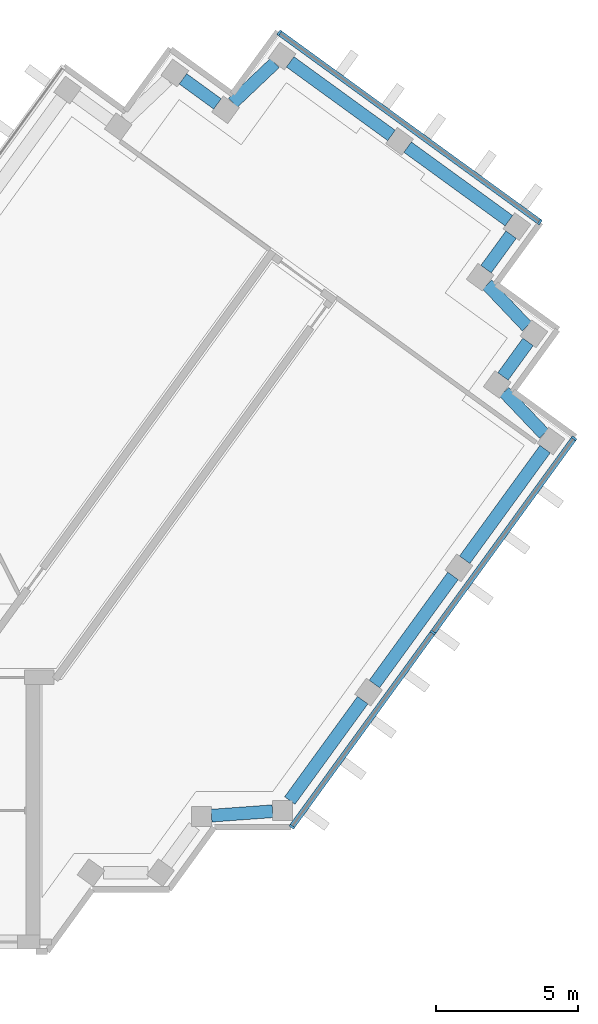
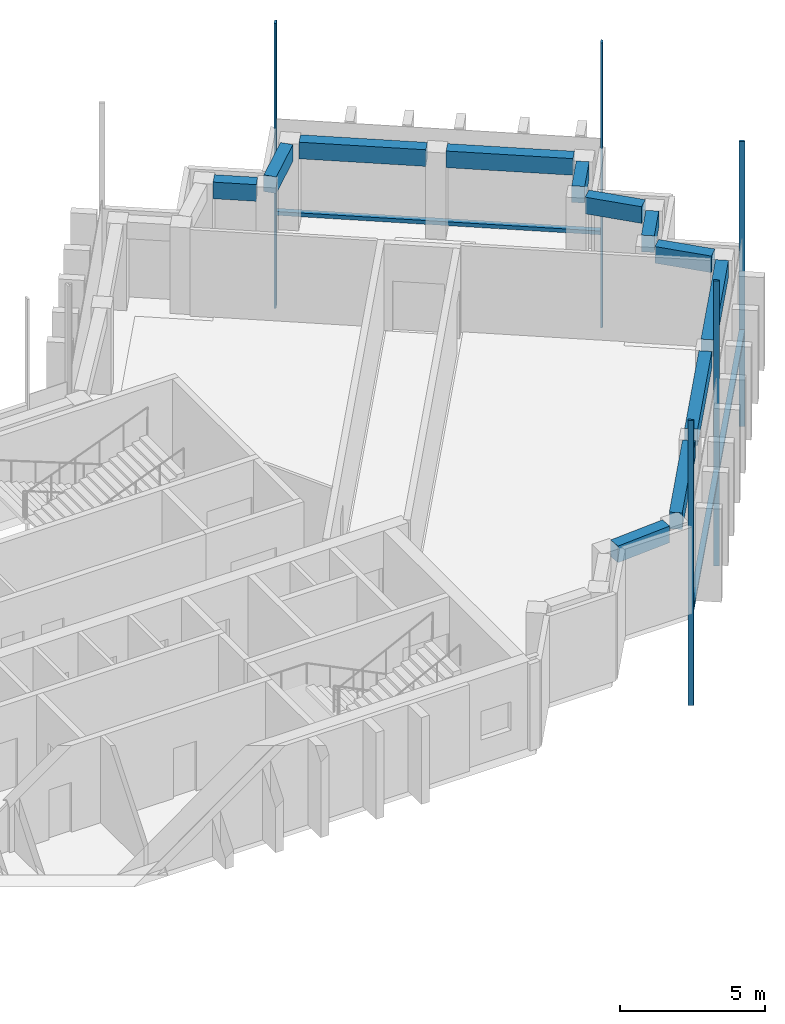
# One storey, part 6 of 13: 12 beams, 8 members, 2 elements without a shape of their own.
"""IFC4 building model written with IfcOpenShell, lengths in metres."""

import ifcopenshell
import ifcopenshell.guid

model = None  # the IFC model being written
_history = None  # IfcOwnerHistory: only IFC2X3 demands one
_inside = {}  # id of a spatial element -> (the spatial element, [elements in it])
_under = {}  # id of a project, library or spatial element -> (it, [spatial elements below it])
_declared = {}  # id of a project -> (the project, [libraries it declares])
_typed = {}  # id of a type object -> (the type object, [elements of that type])
_made_of = {}  # id of a material, layer set ... -> (it, [elements and type objects made of it])


def new_model(schema):
    """Start an empty IFC model of exactly this schema.

    Asked for "IFC4X3", IfcOpenShell would pick the latest addendum, in which some entities
    have other attributes; the version numbers below select the first issue.
    IFC2X3 requires an IfcOwnerHistory on every rooted entity: one is made here for all.
    """
    global model, _history
    if schema == "IFC4X3":
        model = ifcopenshell.file(schema_version=(4, 3, 0, 0))
    else:
        model = ifcopenshell.file(schema=schema)
    _inside.clear()
    _under.clear()
    _declared.clear()
    _typed.clear()
    _made_of.clear()
    _history = None
    if model.schema == "IFC2X3":
        org = make("IfcOrganization", Name="unknown")
        user = make(
            "IfcPersonAndOrganization",
            ThePerson=make("IfcPerson", FamilyName="unknown"),
            TheOrganization=org,
        )
        app = make(
            "IfcApplication",
            ApplicationDeveloper=org,
            Version="unknown",
            ApplicationFullName="unknown",
            ApplicationIdentifier="unknown",
        )
        _history = make(
            "IfcOwnerHistory",
            OwningUser=user,
            OwningApplication=app,
            ChangeAction="ADDED",
            CreationDate=0,
        )
    return model


def make(cls, **values):
    """One entity of the class cls with the attributes given. An attribute that is None is left unset."""
    return model.create_entity(
        cls, **{name: value for name, value in values.items() if value is not None}
    )


def rooted(cls, **values):
    """An entity with a GlobalId (a new one), such as an element, a storey or a relation."""
    return make(cls, GlobalId=ifcopenshell.guid.new(), OwnerHistory=_history, **values)


def si_unit(unit_type, name, prefix=None):
    """IfcSIUnit, for example si_unit("LENGTHUNIT", "METRE", prefix="MILLI")."""
    return make("IfcSIUnit", UnitType=unit_type, Prefix=prefix, Name=name)


def assignment(units):
    """IfcUnitAssignment: the units of a project."""
    return None if units is None else make("IfcUnitAssignment", Units=units)


def point(xyz):
    """IfcCartesianPoint."""
    return None if xyz is None else make("IfcCartesianPoint", Coordinates=xyz)


def direction(xyz):
    """IfcDirection."""
    return None if xyz is None else make("IfcDirection", DirectionRatios=xyz)


def frame(location, z_axis=None, x_axis=None):
    """IfcAxis2Placement3D, a coordinate frame: its origin and axes. An axis left out is left unset."""
    return make(
        "IfcAxis2Placement3D",
        Location=point(location),
        Axis=direction(z_axis),
        RefDirection=direction(x_axis),
    )


def frame_2d(location, x_axis=None):
    """IfcAxis2Placement2D, a coordinate frame in the plane: its origin and x axis."""
    return make(
        "IfcAxis2Placement2D", Location=point(location), RefDirection=direction(x_axis)
    )


def origin():
    """The frame at (0, 0, 0) with its axes left unset."""
    return frame((0.0, 0.0, 0.0))


def origin_2d():
    """The frame at (0, 0) in the plane with its x axis left unset."""
    return frame_2d((0.0, 0.0))


def place(relative_to, where):
    """IfcLocalPlacement: puts the frame where relative to a parent placement (None: the world)."""
    return make(
        "IfcLocalPlacement", PlacementRelTo=relative_to, RelativePlacement=where
    )


def context(
    kind, dimensions, precision=None, world=None, true_north=None, identifier=None
):
    """IfcGeometricRepresentationContext, for example the 3D "Model" context."""
    return make(
        "IfcGeometricRepresentationContext",
        ContextIdentifier=identifier,
        ContextType=kind,
        CoordinateSpaceDimension=dimensions,
        Precision=precision,
        WorldCoordinateSystem=world,
        TrueNorth=true_north,
    )


def subcontext(parent, identifier, kind, view, scale=None):
    """IfcGeometricRepresentationSubContext, for example "Body" below "Model"."""
    return make(
        "IfcGeometricRepresentationSubContext",
        ContextIdentifier=identifier,
        ContextType=kind,
        ParentContext=parent,
        TargetScale=scale,
        TargetView=view,
    )


def project(units=None, contexts=None):
    """IfcProject with its units and contexts."""
    return rooted(
        "IfcProject",
        Name="project",
        RepresentationContexts=contexts,
        UnitsInContext=assignment(units),
    )


def spatial(cls, under=None, at=None, **own):
    """A site, building, storey or space (cls), placed at a placement, below another one or the project."""
    s = rooted(cls, ObjectPlacement=at, **own)
    if under is not None:
        _under.setdefault(under.id(), (under, []))[1].append(s)
    return s


def profile(cls, at=None, kind="AREA", **sizes):
    """A parametric profile (cls). Its sizes go by their IFC names, for example OverallWidth=200.0."""
    return make(cls, ProfileType=kind, Position=at, **sizes)


def rectangle(**sizes):
    """IfcRectangleProfileDef."""
    return profile("IfcRectangleProfileDef", **sizes)


def extrude(swept, where, along, depth):
    """IfcExtrudedAreaSolid: the profile swept, set in the frame where, extruded along a direction by depth."""
    return make(
        "IfcExtrudedAreaSolid",
        SweptArea=swept,
        Position=where,
        ExtrudedDirection=direction(along),
        Depth=depth,
    )


def shape(context_of_items, identifier, shape_type, items):
    """IfcShapeRepresentation: the items that make up one representation, for example the "Body"."""
    return make(
        "IfcShapeRepresentation",
        ContextOfItems=context_of_items,
        RepresentationIdentifier=identifier,
        RepresentationType=shape_type,
        Items=items,
    )


def material(Name=None, Category=None):
    """IfcMaterial."""
    return make("IfcMaterial", Name=Name, Category=Category)


def material_profile(
    of_material, cross_section, Name=None, Category=None, Priority=None
):
    """IfcMaterialProfile: a cross section and its material."""
    return make(
        "IfcMaterialProfile",
        Name=Name,
        Material=of_material,
        Profile=cross_section,
        Priority=Priority,
        Category=Category,
    )


def profile_set(profiles, Name=None, composite=None):
    """IfcMaterialProfileSet."""
    return make(
        "IfcMaterialProfileSet",
        Name=Name,
        MaterialProfiles=profiles,
        CompositeProfile=composite,
    )


def made_of(thing, what):
    """Note that an element or type object is made of a material, layer set ...; save() writes the relation."""
    if what is not None:
        _made_of.setdefault(what.id(), (what, []))[1].append(thing)
    return thing


def type_object(cls, material=None, **own):
    """A type object (cls), such as IfcWallType, which elements share."""
    return made_of(rooted(cls, **own), material)


def element(
    cls,
    number,
    at=None,
    inside=None,
    cuts=None,
    type_object=None,
    material=None,
    context=None,
    identifier="Body",
    shape_type=None,
    held_by="IfcProductDefinitionShape",
    body=None,
    shapes=None,
    **own,
):
    """One element of the class cls, such as IfcWall. Its Tag is "e" and its number.

    at: its placement. inside: the storey or other place that contains it. cuts: it is an
    opening in that element (IfcRelVoidsElement). A single representation is given by context,
    identifier, shape_type and body (its items); several are given by shapes. held_by: the class
    of the entity that holds the representations. save() writes the other relations.
    """
    e = rooted(cls, Tag="e%d" % number, ObjectPlacement=at, **own)
    if body is not None:
        shapes = [shape(context, identifier, shape_type, body)]
    if shapes is not None:
        e.Representation = make(held_by, Representations=shapes)
    if inside is not None:
        _inside.setdefault(inside.id(), (inside, []))[1].append(e)
    if cuts is not None:
        rooted(
            "IfcRelVoidsElement", RelatingBuildingElement=cuts, RelatedOpeningElement=e
        )
    if type_object is not None:
        _typed.setdefault(type_object.id(), (type_object, []))[1].append(e)
    return made_of(e, material)


def aggregate(whole, parts):
    """IfcRelAggregates: a whole, such as a stair, and the parts it consists of."""
    return rooted("IfcRelAggregates", RelatingObject=whole, RelatedObjects=parts)


def save(model, path):
    """Write the relations noted so far, then the file.

    IfcRelAggregates (storeys below a building ...), IfcRelContainedInSpatialStructure (elements
    in a storey), IfcRelDefinesByType, IfcRelAssociatesMaterial and IfcRelDeclares: one each for
    every whole, place, type object, material and project.
    """
    for whole, parts in _under.values():
        aggregate(whole, parts)
    for where, things in _inside.values():
        rooted(
            "IfcRelContainedInSpatialStructure",
            RelatedElements=things,
            RelatingStructure=where,
        )
    for kind, things in _typed.values():
        rooted("IfcRelDefinesByType", RelatedObjects=things, RelatingType=kind)
    for what, things in _made_of.values():
        rooted("IfcRelAssociatesMaterial", RelatedObjects=things, RelatingMaterial=what)
    for by, libraries in _declared.values():
        rooted("IfcRelDeclares", RelatingContext=by, RelatedDefinitions=libraries)
    model.write(path)


model = new_model("IFC4")

# Units and contexts
model_context = context("Model", 3, precision=1e-05, world=origin(), true_north=direction((0.0, 1.0)))
body_context = subcontext(model_context, "Body", "Model", "MODEL_VIEW")
ifc_project = project(units=[si_unit("LENGTHUNIT", "METRE"), si_unit("AREAUNIT", "SQUARE_METRE"), si_unit("VOLUMEUNIT", "CUBIC_METRE"), si_unit("PLANEANGLEUNIT", "RADIAN"), si_unit("MASSUNIT", "GRAM", prefix="KILO")], contexts=[model_context])

# Site, building, storey
site_placement = place(None, origin())
site = spatial("IfcSite", under=ifc_project, at=site_placement, CompositionType="ELEMENT")
building_placement = place(site_placement, origin())
building = spatial("IfcBuilding", under=site, at=building_placement, Name="Quipu Civic Tower", CompositionType="ELEMENT")
storey_placement = place(building_placement, frame((0.0, 0.0, 285.0)))
storey = spatial("IfcBuildingStorey", under=building, at=storey_placement, Name="L66", CompositionType="ELEMENT", Elevation=285.0)

# Curtain wall, members
ifc_material_1 = material(Name="Insulated glass unit", Category="glass")
curtain_wall_type = type_object("IfcCurtainWallType", Name="Office curtain wall CW1", PredefinedType="NOTDEFINED", material=ifc_material_1)
curtain_wall_1_placement = place(storey_placement, origin())
curtain_wall_1 = element("IfcCurtainWall", 1, at=curtain_wall_1_placement, inside=storey, type_object=curtain_wall_type, Name="Office curtain wall CW1 L65 run 23", PredefinedType="NOTDEFINED")
ifc_material_2 = material(Name="Anodised aluminium", Category="aluminium")
ifc_material_profile_1 = material_profile(ifc_material_2, rectangle(XDim=0.199951171875, YDim=0.080078125, at=origin_2d()), Name="RECT 200x80")
ifc_profile_set_1 = profile_set([ifc_material_profile_1], Name="Anodised aluminium")
member_type_1 = type_object("IfcMemberType", Name="Mullion CW1", PredefinedType="MULLION", material=ifc_profile_set_1)
member_1_placement = place(storey_placement, frame((28.853271484375, -6.698974609375, -3.919921875), z_axis=(0.0, 0.0, 1.0), x_axis=(-0.809016278475, 0.587786237643, 0.0)))
member_1 = element("IfcMember", 2, at=member_1_placement, type_object=member_type_1, Name="CW1 mullion 1", PredefinedType="MULLION", context=body_context, shape_type="SweptSolid", body=[
    extrude(rectangle(XDim=0.199951171875, YDim=0.080078125, at=origin_2d()), origin(), (0.0, 0.0, 1.0), 12.0),
])
member_2_placement = place(storey_placement, frame((33.81298828125, 0.12744140625, -3.919921875), z_axis=(0.0, 0.0, 1.0), x_axis=(-0.809016278475, 0.587786237643, 0.0)))
member_2 = element("IfcMember", 3, at=member_2_placement, type_object=member_type_1, Name="CW1 mullion 2", PredefinedType="MULLION", context=body_context, shape_type="SweptSolid", body=[
    extrude(rectangle(XDim=0.199951171875, YDim=0.080078125, at=origin_2d()), origin(), (0.0, 0.0, 1.0), 12.0),
])
member_3_placement = place(storey_placement, frame((38.772705078125, 6.953857421875, -3.919921875), z_axis=(0.0, 0.0, 1.0), x_axis=(-0.809016278475, 0.587786237643, 0.0)))
member_3 = element("IfcMember", 4, at=member_3_placement, type_object=member_type_1, Name="CW1 mullion 3", PredefinedType="MULLION", context=body_context, shape_type="SweptSolid", body=[
    extrude(rectangle(XDim=0.199951171875, YDim=0.080078125, at=origin_2d()), origin(), (0.0, 0.0, 1.0), 12.0),
])

curtain_wall_2_placement = place(storey_placement, origin())
curtain_wall_2 = element("IfcCurtainWall", 5, at=curtain_wall_2_placement, inside=storey, type_object=curtain_wall_type, Name="Office curtain wall CW1 L65 run 28", PredefinedType="NOTDEFINED")
member_4_placement = place(storey_placement, frame((37.569091796875, 14.552490234375, -3.919921875), z_axis=(0.0, 0.0, 1.0), x_axis=(-0.587787753918, -0.809015176832, 0.0)))
member_4 = element("IfcMember", 6, at=member_4_placement, type_object=member_type_1, Name="CW1 mullion 1", PredefinedType="MULLION", context=body_context, shape_type="SweptSolid", body=[
    extrude(rectangle(XDim=0.199951171875, YDim=0.080078125, at=origin_2d()), origin(), (0.0, 0.0, 1.0), 12.0),
])
member_5_placement = place(storey_placement, frame((28.4111328125, 21.206298828125, -3.919921875), z_axis=(0.0, 0.0, 1.0), x_axis=(-0.587787753918, -0.809015176832, 0.0)))
member_5 = element("IfcMember", 7, at=member_5_placement, type_object=member_type_1, Name="CW1 mullion 2", PredefinedType="MULLION", context=body_context, shape_type="SweptSolid", body=[
    extrude(rectangle(XDim=0.199951171875, YDim=0.080078125, at=origin_2d()), origin(), (0.0, 0.0, 1.0), 12.0),
])

# Beams
ifc_material_3 = material(Name="Concrete C50/60", Category="concrete")
ifc_material_profile_2 = material_profile(ifc_material_3, rectangle(XDim=0.449951171875, YDim=0.699951171875, at=origin_2d()), Name="RC450x700")
ifc_profile_set_2 = profile_set([ifc_material_profile_2], Name="Concrete C50/60")
beam_type = type_object("IfcBeamType", Name="Spandrel beam RC 450x700 C50/60", PredefinedType="SPANDREL", material=ifc_profile_set_2)
beam_1_placement = place(storey_placement, frame((26.0244140625, -6.3115234375, 3.300048828125), z_axis=(0.997379352029, 0.072349347934, 0.0), x_axis=(-0.072349347934, 0.997379352029, 0.0)))
element("IfcBeam", 8, at=beam_1_placement, inside=storey, type_object=beam_type, Name="Spandrel beam L66 J-Eo.3 to J-Eo.4", PredefinedType="SPANDREL", context=body_context, shape_type="SweptSolid", body=[
    extrude(rectangle(XDim=0.449951171875, YDim=0.699951171875, at=origin_2d()), origin(), (0.0, 0.0, 1.0), 2.15625),
])
beam_2_placement = place(storey_placement, frame((28.779296875, -5.780029296875, 3.300048828125), z_axis=(0.58777550284, 0.809024077677, 0.0), x_axis=(-0.809024077677, 0.58777550284, 0.0)))
element("IfcBeam", 9, at=beam_2_placement, inside=storey, type_object=beam_type, Name="Spandrel beam L66 J-Eo.4 to E-OUT-01", PredefinedType="SPANDREL", context=body_context, shape_type="SweptSolid", body=[
    extrude(rectangle(XDim=0.449951171875, YDim=0.699951171875, at=origin_2d()), origin(), (0.0, 0.0, 1.0), 4.36083984375),
])
beam_3_placement = place(storey_placement, frame((31.75390625, -1.685546875, 3.300048828125), z_axis=(0.587788656305, 0.809014521204, 0.0), x_axis=(-0.809014521204, 0.587788656305, 0.0)))
element("IfcBeam", 10, at=beam_3_placement, inside=storey, type_object=beam_type, Name="Spandrel beam L66 E-OUT-01 to E-OUT-02", PredefinedType="SPANDREL", context=body_context, shape_type="SweptSolid", body=[
    extrude(rectangle(XDim=0.449951171875, YDim=0.699951171875, at=origin_2d()), origin(), (0.0, 0.0, 1.0), 4.7001953125),
])
beam_4_placement = place(storey_placement, frame((34.927978515625, 2.68310546875, 3.300048828125), z_axis=(0.587905928359, 0.808929304328, 0.0), x_axis=(-0.808929304328, 0.587905928359, 0.0)))
element("IfcBeam", 11, at=beam_4_placement, inside=storey, type_object=beam_type, Name="Spandrel beam L66 E-OUT-02 to T-Eo.0-E22", PredefinedType="SPANDREL", context=body_context, shape_type="SweptSolid", body=[
    extrude(rectangle(XDim=0.449951171875, YDim=0.699951171875, at=origin_2d()), origin(), (0.0, 0.0, 1.0), 4.80712890625),
])
beam_5_placement = place(storey_placement, frame((37.71484375, 7.11279296875, 3.300048828125), z_axis=(-0.689175330605, 0.724594620244, 0.0), x_axis=(-0.724594620244, -0.689175330605, 0.0)))
element("IfcBeam", 12, at=beam_5_placement, inside=storey, type_object=beam_type, Name="Spandrel beam L66 T-Eo.0-E22 to T-Eo.1-E22", PredefinedType="SPANDREL", context=body_context, shape_type="SweptSolid", body=[
    extrude(rectangle(XDim=0.449951171875, YDim=0.699951171875, at=origin_2d()), origin(), (0.0, 0.0, 1.0), 2.033447265625),
])
beam_6_placement = place(storey_placement, frame((36.273681640625, 9.12744140625, 3.300048828125), z_axis=(0.587164895097, 0.809467347066, 0.0), x_axis=(-0.809467347066, 0.587164895097, 0.0)))
element("IfcBeam", 13, at=beam_6_placement, inside=storey, type_object=beam_type, Name="Spandrel beam L66 T-Eo.1-E22 to T-Eo.2-E22", PredefinedType="SPANDREL", context=body_context, shape_type="SweptSolid", body=[
    extrude(rectangle(XDim=0.449951171875, YDim=0.699951171875, at=origin_2d()), origin(), (0.0, 0.0, 1.0), 1.500244140625),
])
beam_7_placement = place(storey_placement, frame((37.114990234375, 10.88330078125, 3.300048828125), z_axis=(-0.688247466856, 0.725475998477, 0.0), x_axis=(-0.725475998477, -0.688247466856, 0.0)))
element("IfcBeam", 14, at=beam_7_placement, inside=storey, type_object=beam_type, Name="Spandrel beam L66 T-Eo.2-E22 to T-Eo.3-E22", PredefinedType="SPANDREL", context=body_context, shape_type="SweptSolid", body=[
    extrude(rectangle(XDim=0.449951171875, YDim=0.699951171875, at=origin_2d()), origin(), (0.0, 0.0, 1.0), 2.032958984375),
])
beam_8_placement = place(storey_placement, frame((35.6767578125, 12.8994140625, 3.300048828125), z_axis=(0.588345920092, 0.808609348394, 0.0), x_axis=(-0.808609348394, 0.588345920092, 0.0)))
element("IfcBeam", 15, at=beam_8_placement, inside=storey, type_object=beam_type, Name="Spandrel beam L66 T-Eo.3-E22 to T-Eo.4-E22", PredefinedType="SPANDREL", context=body_context, shape_type="SweptSolid", body=[
    extrude(rectangle(XDim=0.449951171875, YDim=0.699951171875, at=origin_2d()), origin(), (0.0, 0.0, 1.0), 1.499755859375),
])
beam_9_placement = place(storey_placement, frame((36.481689453125, 14.6005859375, 3.300048828125), z_axis=(-0.809117270763, 0.587647208921, 0.0), x_axis=(-0.587647208921, -0.809117270763, 0.0)))
element("IfcBeam", 16, at=beam_9_placement, inside=storey, type_object=beam_type, Name="Spandrel beam L66 T-Eo.4-E22 to TIP-E-01-E22", PredefinedType="SPANDREL", context=body_context, shape_type="SweptSolid", body=[
    extrude(rectangle(XDim=0.449951171875, YDim=0.699951171875, at=origin_2d()), origin(), (0.0, 0.0, 1.0), 4.40185546875),
])
beam_10_placement = place(storey_placement, frame((32.353759765625, 17.5986328125, 3.300048828125), z_axis=(-0.809146152767, 0.587607439931, 0.0), x_axis=(-0.587607439931, -0.809146152767, 0.0)))
element("IfcBeam", 17, at=beam_10_placement, inside=storey, type_object=beam_type, Name="Spandrel beam L66 TIP-E-01-E22 to T-Ei.0-E22", PredefinedType="SPANDREL", context=body_context, shape_type="SweptSolid", body=[
    extrude(rectangle(XDim=0.449951171875, YDim=0.699951171875, at=origin_2d()), origin(), (0.0, 0.0, 1.0), 4.400390625),
])
beam_11_placement = place(storey_placement, frame((28.251708984375, 20.14501953125, 3.300048828125), z_axis=(-0.725359138958, -0.688370626574, 0.0), x_axis=(0.688370626574, -0.725359138958, 0.0)))
element("IfcBeam", 18, at=beam_11_placement, inside=storey, type_object=beam_type, Name="Spandrel beam L66 T-Ei.0-E22 to T-Ei.1-E22", PredefinedType="SPANDREL", context=body_context, shape_type="SweptSolid", body=[
    extrude(rectangle(XDim=0.449951171875, YDim=0.699951171875, at=origin_2d()), origin(), (0.0, 0.0, 1.0), 2.032958984375),
])
beam_12_placement = place(storey_placement, frame((26.236083984375, 18.70654296875, 3.300048828125), z_axis=(-0.808644589435, 0.588297482553, 0.0), x_axis=(-0.588297482553, -0.808644589435, 0.0)))
element("IfcBeam", 19, at=beam_12_placement, inside=storey, type_object=beam_type, Name="Spandrel beam L66 T-Ei.1-E22 to T-Ei.2-E22", PredefinedType="SPANDREL", context=body_context, shape_type="SweptSolid", body=[
    extrude(rectangle(XDim=0.449951171875, YDim=0.699951171875, at=origin_2d()), origin(), (0.0, 0.0, 1.0), 1.500244140625),
])

# Member
ifc_material_4 = material(Name="Anodised aluminium", Category="aluminium")
ifc_material_profile_3 = material_profile(ifc_material_4, rectangle(XDim=0.199951171875, YDim=0.159912109375, at=origin_2d()), Name="RECT 200x160")
ifc_profile_set_3 = profile_set([ifc_material_profile_3], Name="Anodised aluminium")
member_type_2 = type_object("IfcMemberType", Name="Transom CW1", PredefinedType="USERDEFINED", material=ifc_profile_set_3)
member_6_placement = place(storey_placement, frame((28.876708984375, -6.66650390625, 0.080078125), z_axis=(0.587812107925, 0.808997481935, 0.0), x_axis=(-0.808997481935, 0.587812107925, 0.0)))
member_6 = element("IfcMember", 20, at=member_6_placement, type_object=member_type_2, Name="CW1 transom 1.2", ObjectType="TRANSOM", PredefinedType="USERDEFINED", context=body_context, shape_type="SweptSolid", body=[
    extrude(rectangle(XDim=0.199951171875, YDim=0.159912109375, at=origin_2d()), origin(), (0.0, 0.0, 1.0), 8.35791015625),
])

member_7_placement = place(storey_placement, frame((33.83642578125, 0.15966796875, 0.080078125), z_axis=(0.587779098815, 0.809021465102, 0.0), x_axis=(-0.809021465102, 0.587779098815, 0.0)))
member_7 = element("IfcMember", 21, at=member_7_placement, type_object=member_type_2, Name="CW1 transom 2.2", ObjectType="TRANSOM", PredefinedType="USERDEFINED", context=body_context, shape_type="SweptSolid", body=[
    extrude(rectangle(XDim=0.199951171875, YDim=0.159912109375, at=origin_2d()), origin(), (0.0, 0.0, 1.0), 8.35791015625),
])

aggregate(curtain_wall_1, [member_1, member_2, member_3, member_6, member_7])

member_8_placement = place(storey_placement, frame((37.536865234375, 14.575927734375, 0.080078125), z_axis=(-0.809022463805, 0.587777724194, 0.0), x_axis=(-0.587777724194, -0.809022463805, 0.0)))
member_8 = element("IfcMember", 22, at=member_8_placement, type_object=member_type_2, Name="CW1 transom 1.2", ObjectType="TRANSOM", PredefinedType="USERDEFINED", context=body_context, shape_type="SweptSolid", body=[
    extrude(rectangle(XDim=0.199951171875, YDim=0.159912109375, at=origin_2d()), origin(), (0.0, 0.0, 1.0), 11.240234375),
])

aggregate(curtain_wall_2, [member_4, member_5, member_8])

save(model, "model.ifc")
